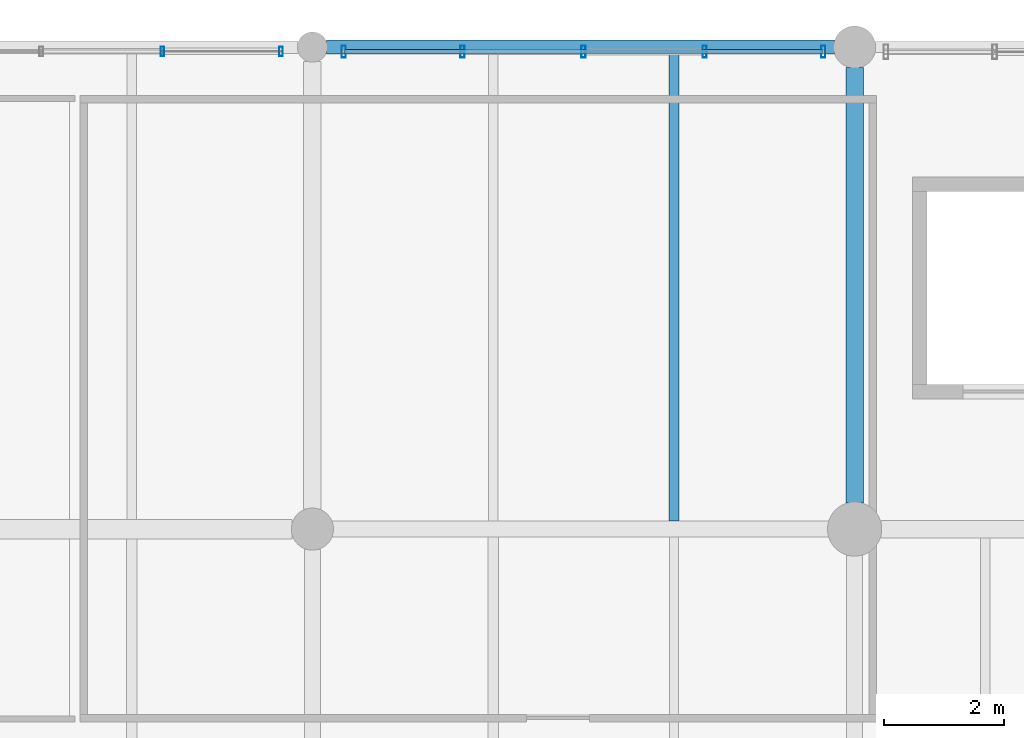
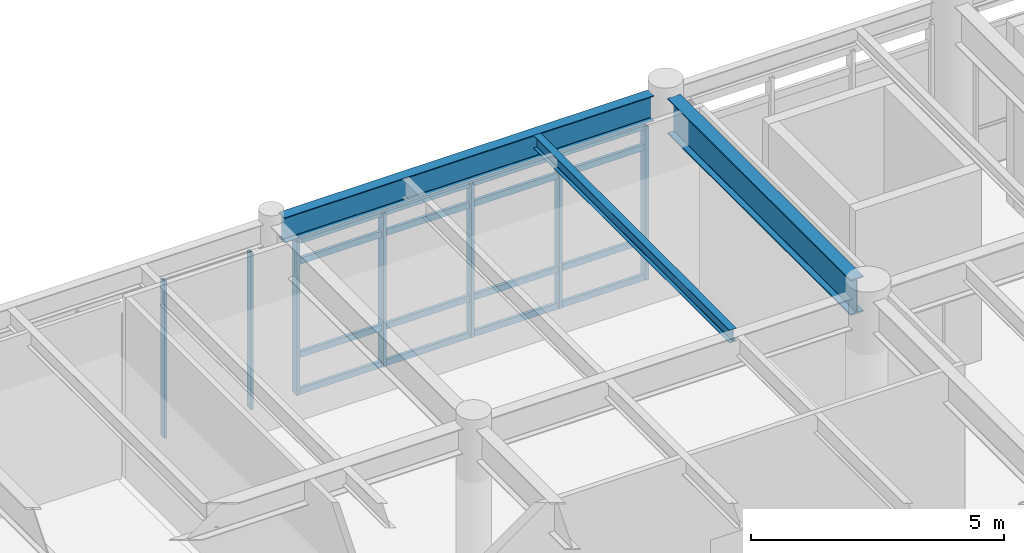
# One storey, part 91 of 168: 11 members, 3 beams, 2 elements without a shape of their own.
"""IFC4 building model written with IfcOpenShell, lengths in metres."""

from ifc_helpers import new_model, si_unit, direction, frame, origin, origin_2d, place, context, subcontext, project, spatial, hollow_rectangle, i_section, extrude, material, material_profile, profile_set, type_object, element, aggregate, save


model = new_model("IFC4")

# Units and contexts
model_context = context("Model", 3, precision=1e-05, world=origin(), true_north=direction((0.0, 1.0)))
body_context = subcontext(model_context, "Body", "Model", "MODEL_VIEW")
ifc_project = project(units=[si_unit("LENGTHUNIT", "METRE"), si_unit("AREAUNIT", "SQUARE_METRE"), si_unit("VOLUMEUNIT", "CUBIC_METRE"), si_unit("PLANEANGLEUNIT", "RADIAN"), si_unit("MASSUNIT", "GRAM", prefix="KILO"), si_unit("THERMODYNAMICTEMPERATUREUNIT", "KELVIN"), si_unit("POWERUNIT", "WATT")], contexts=[model_context])

# Site, building, storey
site_placement = place(None, origin())
site = spatial("IfcSite", under=ifc_project, at=site_placement, CompositionType="ELEMENT")
building_placement = place(site_placement, origin())
building = spatial("IfcBuilding", under=site, at=building_placement, Name="Tepalcoro Natatorium and Aquatics Centre", CompositionType="ELEMENT")
storey_placement = place(building_placement, frame((0.0, 0.0, 10.199951171875)))
storey = spatial("IfcBuildingStorey", under=building, at=storey_placement, Name="L02", CompositionType="ELEMENT", Elevation=10.199951171875)

# Beam
ifc_material_1 = material(Name="Steel ASTM A992 Grade 50 (Fy 345 MPa)", Category="steel")
ifc_material_profile_1 = material_profile(ifc_material_1, i_section(OverallWidth=0.2919921875, OverallDepth=0.85888671875, WebThickness=0.01708984375, FlangeThickness=0.031005859375, FilletRadius=0.013916015625, at=origin_2d()), Name="W33X169")
ifc_profile_set_1 = profile_set([ifc_material_profile_1], Name="Steel ASTM A992 Grade 50 (Fy 345 MPa)")
beam_type_1 = type_object("IfcBeamType", Name="BM_W33x169", PredefinedType="BEAM", material=ifc_profile_set_1)
beam_1_placement = place(storey_placement, frame((125.0, 110.43505859375, 3.935546875), z_axis=(0.0, 1.0, 0.0), x_axis=(-1.0, 0.0, 0.0)))
element("IfcBeam", 1, at=beam_1_placement, inside=storey, type_object=beam_type_1, Name="V5 L02 Grid Girder Y", PredefinedType="BEAM", context=body_context, shape_type="SweptSolid", body=[
    extrude(i_section(OverallWidth=0.2919921875, OverallDepth=0.85888671875, WebThickness=0.01708984375, FlangeThickness=0.031005859375, FilletRadius=0.013916015625, at=origin_2d()), origin(), (0.0, 0.0, 1.0), 7.22998046875),
])

# Curtain wall, members
ifc_material_2 = material(Name="Bronze-Anodised Extruded Aluminium Alloy EN AW-6063 T6", Category="aluminium")
curtain_wall_type_1 = type_object("IfcCurtainWallType", Name="CW_LEAN_T1_EW", PredefinedType="USERDEFINED", material=ifc_material_2)
curtain_wall_1_placement = place(storey_placement, origin())
curtain_wall_1 = element("IfcCurtainWall", 2, at=curtain_wall_1_placement, inside=storey, type_object=curtain_wall_type_1, Name="V5 L02 N Unitised Curtain Wall Bay 2", ObjectType="FACETED SOLAR GLAZING", PredefinedType="USERDEFINED")
ifc_material_profile_2 = material_profile(ifc_material_2, hollow_rectangle(XDim=0.06005859375, YDim=0.159912109375, WallThickness=0.00390625, at=origin_2d()), Name="AL60X160X4")
ifc_profile_set_2 = profile_set([ifc_material_profile_2], Name="Bronze-Anodised Extruded Aluminium Alloy EN AW-6063 T6")
member_type_1 = type_object("IfcMemberType", Name="CW_MUL_60x160", PredefinedType="MULLION", material=ifc_profile_set_2)
member_1_placement = place(storey_placement, frame((113.510009765625, 117.9287109375, 0.02001953125), z_axis=(0.0, 0.0, 1.0), x_axis=(1.0, 0.0, 0.0)))
member_1 = element("IfcMember", 3, at=member_1_placement, type_object=member_type_1, Name="CW_LEAN_T1_EW Curtain Wall Mullion", PredefinedType="MULLION", context=body_context, shape_type="SweptSolid", body=[
    extrude(hollow_rectangle(XDim=0.06005859375, YDim=0.159912109375, WallThickness=0.00390625, at=origin_2d()), origin(), (0.0, 0.0, 1.0), 3.77392578125),
])
member_2_placement = place(storey_placement, frame((115.47998046875, 117.9287109375, 0.02001953125), z_axis=(0.0, 0.0, 1.0), x_axis=(1.0, 0.0, 0.0)))
member_2 = element("IfcMember", 4, at=member_2_placement, type_object=member_type_1, Name="CW_LEAN_T1_EW Curtain Wall Mullion", PredefinedType="MULLION", context=body_context, shape_type="SweptSolid", body=[
    extrude(hollow_rectangle(XDim=0.06005859375, YDim=0.159912109375, WallThickness=0.00390625, at=origin_2d()), origin(), (0.0, 0.0, 1.0), 3.77392578125),
])
aggregate(curtain_wall_1, [member_1, member_2])

curtain_wall_type_2 = type_object("IfcCurtainWallType", Name="CW_LEAN_T2_NS", PredefinedType="USERDEFINED", material=ifc_material_2)
curtain_wall_2_placement = place(storey_placement, origin())
curtain_wall_2 = element("IfcCurtainWall", 5, at=curtain_wall_2_placement, inside=storey, type_object=curtain_wall_type_2, Name="V5 L02 N Unitised Curtain Wall Bay 3", ObjectType="FACETED SOLAR GLAZING", PredefinedType="USERDEFINED")
ifc_material_profile_3 = material_profile(ifc_material_2, hollow_rectangle(XDim=0.070068359375, YDim=0.199951171875, WallThickness=0.0048828125, at=origin_2d()), Name="AL70X200X5")
ifc_profile_set_3 = profile_set([ifc_material_profile_3], Name="Bronze-Anodised Extruded Aluminium Alloy EN AW-6063 T6")
member_type_2 = type_object("IfcMemberType", Name="CW_MUL_70x200", PredefinedType="MULLION", material=ifc_profile_set_3)
member_3_placement = place(storey_placement, frame((116.52001953125, 117.923828125, 0.02001953125), z_axis=(0.0, 0.0, 1.0), x_axis=(1.0, 0.0, 0.0)))
member_3 = element("IfcMember", 6, at=member_3_placement, type_object=member_type_2, Name="CW_LEAN_T2_NS Curtain Wall Mullion", PredefinedType="MULLION", context=body_context, shape_type="SweptSolid", body=[
    extrude(hollow_rectangle(XDim=0.070068359375, YDim=0.199951171875, WallThickness=0.0048828125, at=origin_2d()), origin(), (0.0, 0.0, 1.0), 3.697998046875),
])
member_4_placement = place(storey_placement, frame((118.489990234375, 117.923828125, 0.02001953125), z_axis=(0.0, 0.0, 1.0), x_axis=(1.0, 0.0, 0.0)))
member_4 = element("IfcMember", 7, at=member_4_placement, type_object=member_type_2, Name="CW_LEAN_T2_NS Curtain Wall Mullion", PredefinedType="MULLION", context=body_context, shape_type="SweptSolid", body=[
    extrude(hollow_rectangle(XDim=0.070068359375, YDim=0.199951171875, WallThickness=0.0048828125, at=origin_2d()), origin(), (0.0, 0.0, 1.0), 3.697998046875),
])
member_5_placement = place(storey_placement, frame((120.5, 117.923828125, 0.02001953125), z_axis=(0.0, 0.0, 1.0), x_axis=(1.0, 0.0, 0.0)))
member_5 = element("IfcMember", 8, at=member_5_placement, type_object=member_type_2, Name="CW_LEAN_T2_NS Curtain Wall Mullion", PredefinedType="MULLION", context=body_context, shape_type="SweptSolid", body=[
    extrude(hollow_rectangle(XDim=0.070068359375, YDim=0.199951171875, WallThickness=0.0048828125, at=origin_2d()), origin(), (0.0, 0.0, 1.0), 3.697998046875),
])
member_6_placement = place(storey_placement, frame((122.510009765625, 117.923828125, 0.02001953125), z_axis=(0.0, 0.0, 1.0), x_axis=(1.0, 0.0, 0.0)))
member_6 = element("IfcMember", 9, at=member_6_placement, type_object=member_type_2, Name="CW_LEAN_T2_NS Curtain Wall Mullion", PredefinedType="MULLION", context=body_context, shape_type="SweptSolid", body=[
    extrude(hollow_rectangle(XDim=0.070068359375, YDim=0.199951171875, WallThickness=0.0048828125, at=origin_2d()), origin(), (0.0, 0.0, 1.0), 3.697998046875),
])
member_7_placement = place(storey_placement, frame((124.47998046875, 117.923828125, 0.02001953125), z_axis=(0.0, 0.0, 1.0), x_axis=(1.0, 0.0, 0.0)))
member_7 = element("IfcMember", 10, at=member_7_placement, type_object=member_type_2, Name="CW_LEAN_T2_NS Curtain Wall Mullion", PredefinedType="MULLION", context=body_context, shape_type="SweptSolid", body=[
    extrude(hollow_rectangle(XDim=0.070068359375, YDim=0.199951171875, WallThickness=0.0048828125, at=origin_2d()), origin(), (0.0, 0.0, 1.0), 3.697998046875),
])
ifc_material_profile_4 = material_profile(ifc_material_2, hollow_rectangle(XDim=0.070068359375, YDim=0.14990234375, WallThickness=0.00390625, at=origin_2d()), Name="AL70X150X4")
ifc_profile_set_4 = profile_set([ifc_material_profile_4], Name="Bronze-Anodised Extruded Aluminium Alloy EN AW-6063 T6")
member_type_3 = type_object("IfcMemberType", Name="CW_TRN_70x150", PredefinedType="USERDEFINED", material=ifc_profile_set_4)
member_8_placement = place(storey_placement, frame((116.530029296875, 117.923828125, 0.050048828125), z_axis=(1.0, 0.0, 0.0), x_axis=(0.0, 1.0, 0.0)))
member_8 = element("IfcMember", 11, at=member_8_placement, type_object=member_type_3, Name="CW_LEAN_T2_NS Curtain Wall Transom", ObjectType="TRANSOM", PredefinedType="USERDEFINED", context=body_context, shape_type="SweptSolid", body=[
    extrude(hollow_rectangle(XDim=0.070068359375, YDim=0.14990234375, WallThickness=0.00390625, at=origin_2d()), origin(), (0.0, 0.0, 1.0), 7.93994140625),
])
member_9_placement = place(storey_placement, frame((116.530029296875, 117.923828125, 0.9345703125), z_axis=(1.0, 0.0, 0.0), x_axis=(0.0, 1.0, 0.0)))
member_9 = element("IfcMember", 12, at=member_9_placement, type_object=member_type_3, Name="CW_LEAN_T2_NS Curtain Wall Transom", ObjectType="TRANSOM", PredefinedType="USERDEFINED", context=body_context, shape_type="SweptSolid", body=[
    extrude(hollow_rectangle(XDim=0.070068359375, YDim=0.14990234375, WallThickness=0.00390625, at=origin_2d()), origin(), (0.0, 0.0, 1.0), 7.93994140625),
])
member_10_placement = place(storey_placement, frame((116.530029296875, 117.923828125, 3.18798828125), z_axis=(1.0, 0.0, 0.0), x_axis=(0.0, 1.0, 0.0)))
member_10 = element("IfcMember", 13, at=member_10_placement, type_object=member_type_3, Name="CW_LEAN_T2_NS Curtain Wall Transom", ObjectType="TRANSOM", PredefinedType="USERDEFINED", context=body_context, shape_type="SweptSolid", body=[
    extrude(hollow_rectangle(XDim=0.070068359375, YDim=0.14990234375, WallThickness=0.00390625, at=origin_2d()), origin(), (0.0, 0.0, 1.0), 7.93994140625),
])
member_11_placement = place(storey_placement, frame((116.530029296875, 117.923828125, 3.68798828125), z_axis=(1.0, 0.0, 0.0), x_axis=(0.0, 1.0, 0.0)))
member_11 = element("IfcMember", 14, at=member_11_placement, type_object=member_type_3, Name="CW_LEAN_T2_NS Curtain Wall Transom", ObjectType="TRANSOM", PredefinedType="USERDEFINED", context=body_context, shape_type="SweptSolid", body=[
    extrude(hollow_rectangle(XDim=0.070068359375, YDim=0.14990234375, WallThickness=0.00390625, at=origin_2d()), origin(), (0.0, 0.0, 1.0), 7.93994140625),
])
aggregate(curtain_wall_2, [member_3, member_4, member_5, member_6, member_7, member_8, member_9, member_10, member_11])

# Beams
ifc_material_profile_5 = material_profile(ifc_material_1, i_section(OverallWidth=0.1650390625, OverallDepth=0.31005859375, WebThickness=0.006103515625, FlangeThickness=0.010009765625, FilletRadius=0.013916015625, at=origin_2d()), Name="W12X26")
ifc_profile_set_5 = profile_set([ifc_material_profile_5], Name="Steel ASTM A992 Grade 50 (Fy 345 MPa)")
beam_type_2 = type_object("IfcBeamType", Name="JS_W12x26", PredefinedType="JOIST", material=ifc_profile_set_5)
beam_2_placement = place(storey_placement, frame((122.0, 110.133544921875, 4.2099609375), z_axis=(0.0, 1.0, 0.0), x_axis=(-1.0, 0.0, 0.0)))
element("IfcBeam", 15, at=beam_2_placement, inside=storey, type_object=beam_type_2, Name="V5 L02 Floor Joist", PredefinedType="JOIST", context=body_context, shape_type="SweptSolid", body=[
    extrude(i_section(OverallWidth=0.1650390625, OverallDepth=0.31005859375, WebThickness=0.006103515625, FlangeThickness=0.010009765625, FilletRadius=0.013916015625, at=origin_2d()), origin(), (0.0, 0.0, 1.0), 7.751953125),
])
ifc_material_profile_6 = material_profile(ifc_material_1, i_section(OverallWidth=0.22900390625, OverallDepth=0.612060546875, WebThickness=0.011962890625, FlangeThickness=0.02001953125, FilletRadius=0.013916015625, at=origin_2d()), Name="W24X84")
ifc_profile_set_6 = profile_set([ifc_material_profile_6], Name="Steel ASTM A992 Grade 50 (Fy 345 MPa)")
beam_type_3 = type_object("IfcBeamType", Name="SP_W24x84", PredefinedType="SPANDREL", material=ifc_profile_set_6)
beam_3_placement = place(storey_placement, frame((116.235107421875, 118.0, 4.05908203125), z_axis=(1.0, 0.0, 0.0), x_axis=(0.0, 1.0, 0.0)))
element("IfcBeam", 16, at=beam_3_placement, inside=storey, type_object=beam_type_3, Name="V5 L02 Grid Girder X", PredefinedType="SPANDREL", context=body_context, shape_type="SweptSolid", body=[
    extrude(i_section(OverallWidth=0.22900390625, OverallDepth=0.612060546875, WebThickness=0.011962890625, FlangeThickness=0.02001953125, FilletRadius=0.013916015625, at=origin_2d()), origin(), (0.0, 0.0, 1.0), 8.429931640625),
])

save(model, "model.ifc")
